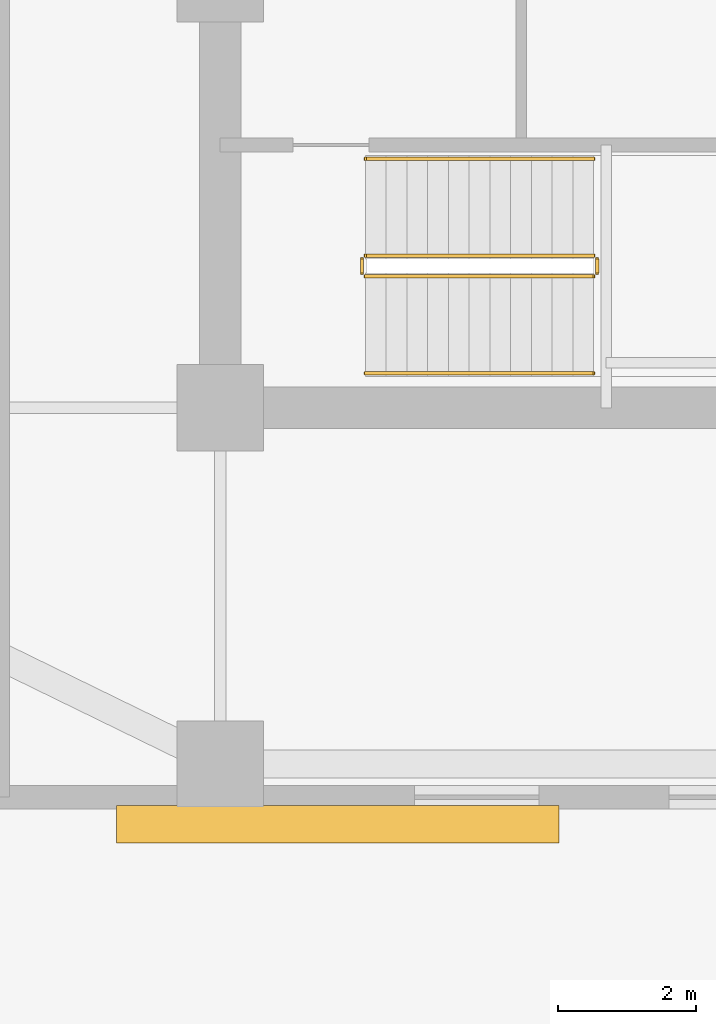
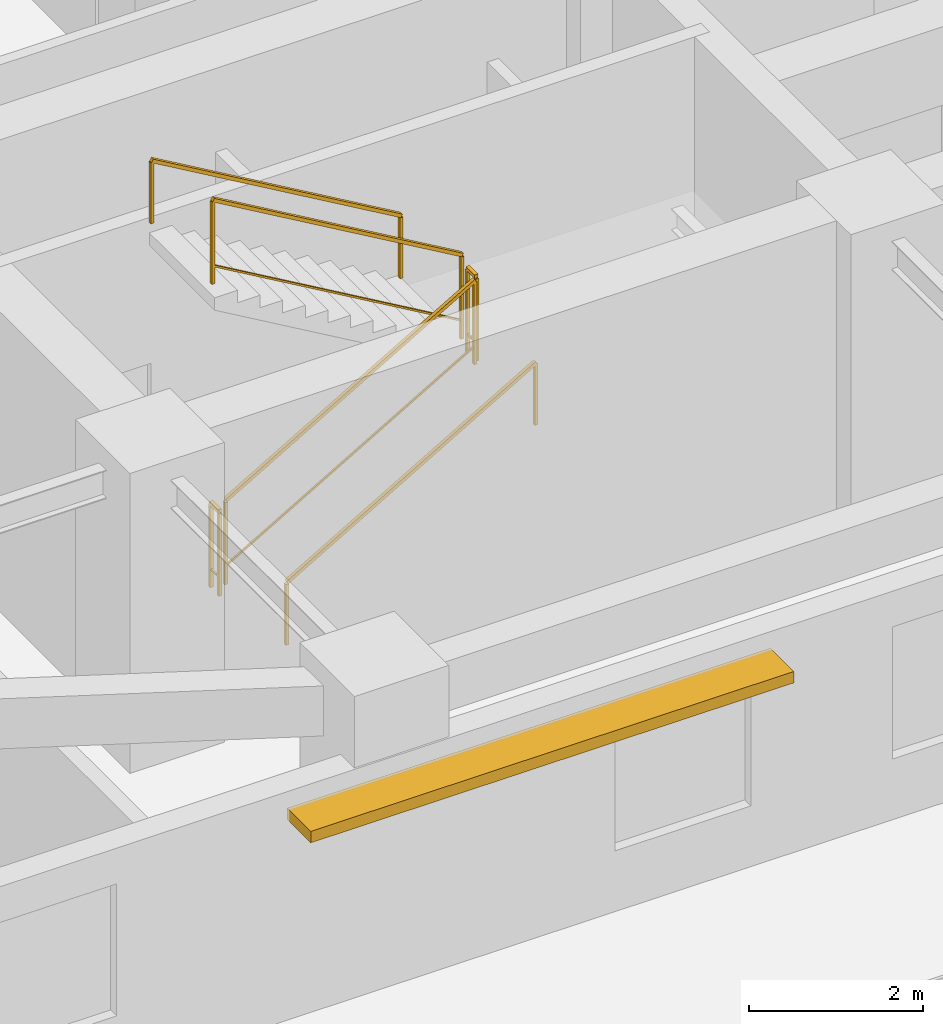
# One storey, part 8 of 11: 6 railings, 1 shading device.
"""IFC4 building model written with IfcOpenShell, lengths in metres."""

from ifc_helpers import new_model, si_unit, direction, frame, origin, origin_2d, place, context, subcontext, project, spatial, rectangle, extrude, material, layer, layer_set, type_object, element, save


model = new_model("IFC4")

# Units and contexts
model_context = context("Model", 3, precision=1e-05, world=origin(), true_north=direction((0.0, 1.0)))
body_context = subcontext(model_context, "Body", "Model", "MODEL_VIEW")
ifc_project = project(units=[si_unit("LENGTHUNIT", "METRE"), si_unit("AREAUNIT", "SQUARE_METRE"), si_unit("VOLUMEUNIT", "CUBIC_METRE"), si_unit("PLANEANGLEUNIT", "RADIAN"), si_unit("MASSUNIT", "GRAM", prefix="KILO")], contexts=[model_context])

# Site, building, storey
site_placement = place(None, origin())
site = spatial("IfcSite", under=ifc_project, at=site_placement, CompositionType="ELEMENT")
building_placement = place(site_placement, origin())
building = spatial("IfcBuilding", under=site, at=building_placement, Name="Svetorya Sky Lyceum", CompositionType="ELEMENT")
storey_placement = place(building_placement, frame((0.0, 0.0, 24.60009765625)))
storey = spatial("IfcBuildingStorey", under=building, at=storey_placement, Name="L05", CompositionType="ELEMENT", Elevation=24.60009765625)

# Railings
ifc_material_1 = material(Name="Painted galvanized stair well guard")
railing_type_1 = type_object("IfcRailingType", Name="RL-STR-GUARD-1200", PredefinedType="GUARDRAIL", material=ifc_material_1)
railing_1_placement = place(storey_placement, frame((27.699951171875, 12.5, 0.1748046875)))
element("IfcRailing", 1, at=railing_1_placement, inside=storey, type_object=railing_type_1, Name="L05 ST-S stair guard 1", PredefinedType="GUARDRAIL", context=body_context, shape_type="SweptSolid", body=[
    extrude(rectangle(XDim=0.048095703125, YDim=0.048095703125, at=origin_2d()), frame((0.0, 0.0, 1.17578125), z_axis=(0.863776583165, 0.0, 0.503874998761), x_axis=(0.0, 1.0, 0.0)), (0.0, 0.0, 1.0), 3.820556640625),
    extrude(rectangle(XDim=0.02392578125, YDim=0.02392578125, at=origin_2d()), frame((0.0, 0.0, 0.25), z_axis=(0.863776583165, 0.0, 0.503874998761), x_axis=(0.0, 1.0, 0.0)), (0.0, 0.0, 1.0), 3.820556640625),
    extrude(rectangle(XDim=0.0419921875, YDim=0.0419921875, at=origin_2d()), origin(), (0.0, 0.0, 1.0), 1.15185546875),
    extrude(rectangle(XDim=0.0419921875, YDim=0.0419921875, at=origin_2d()), frame((3.300048828125, 0.0, 1.925048828125)), (0.0, 0.0, 1.0), 1.15185546875),
])
railing_2_placement = place(storey_placement, frame((31.050048828125, 12.550048828125, 2.099853515625)))
element("IfcRailing", 2, at=railing_2_placement, inside=storey, type_object=railing_type_1, Name="L05 ST-S stair guard 2", PredefinedType="GUARDRAIL", context=body_context, shape_type="SweptSolid", body=[
    extrude(rectangle(XDim=0.048095703125, YDim=0.048095703125, at=origin_2d()), frame((0.0, 0.0, 1.17578125), z_axis=(0.0, 1.0, 0.0), x_axis=(-1.0, 0.0, 0.0)), (0.0, 0.0, 1.0), 0.199951171875),
    extrude(rectangle(XDim=0.02392578125, YDim=0.02392578125, at=origin_2d()), frame((0.0, 0.0, 0.25), z_axis=(0.0, 1.0, 0.0), x_axis=(-1.0, 0.0, 0.0)), (0.0, 0.0, 1.0), 0.199951171875),
    extrude(rectangle(XDim=0.0419921875, YDim=0.0419921875, at=origin_2d()), origin(), (0.0, 0.0, 1.0), 1.15185546875),
    extrude(rectangle(XDim=0.0419921875, YDim=0.0419921875, at=origin_2d()), frame((0.0, 0.199951171875, 0.0)), (0.0, 0.0, 1.0), 1.15185546875),
])
railing_3_placement = place(storey_placement, frame((31.0, 12.800048828125, 2.27490234375)))
element("IfcRailing", 3, at=railing_3_placement, inside=storey, type_object=railing_type_1, Name="L05 ST-S stair guard 3", PredefinedType="GUARDRAIL", context=body_context, shape_type="SweptSolid", body=[
    extrude(rectangle(XDim=0.048095703125, YDim=0.048095703125, at=origin_2d()), frame((0.0, 0.0, 1.17578125), z_axis=(-0.863776583165, 0.0, 0.503874998761), x_axis=(0.0, -1.0, 0.0)), (0.0, 0.0, 1.0), 3.820556640625),
    extrude(rectangle(XDim=0.02392578125, YDim=0.02392578125, at=origin_2d()), frame((0.0, 0.0, 0.25), z_axis=(-0.863776583165, 0.0, 0.503874998761), x_axis=(0.0, -1.0, 0.0)), (0.0, 0.0, 1.0), 3.820556640625),
    extrude(rectangle(XDim=0.0419921875, YDim=0.0419921875, at=origin_2d()), origin(), (0.0, 0.0, 1.0), 1.15185546875),
    extrude(rectangle(XDim=0.0419921875, YDim=0.0419921875, at=origin_2d()), frame((-3.300048828125, 0.0, 1.925048828125)), (0.0, 0.0, 1.0), 1.15185546875),
])
railing_4_placement = place(storey_placement, frame((27.64990234375, 12.550048828125, 0.0)))
element("IfcRailing", 4, at=railing_4_placement, inside=storey, type_object=railing_type_1, Name="L05 ST-S stair guard 4", PredefinedType="GUARDRAIL", context=body_context, shape_type="SweptSolid", body=[
    extrude(rectangle(XDim=0.048095703125, YDim=0.048095703125, at=origin_2d()), frame((0.0, 0.0, 1.17578125), z_axis=(0.0, 1.0, 0.0), x_axis=(-1.0, 0.0, 0.0)), (0.0, 0.0, 1.0), 0.199951171875),
    extrude(rectangle(XDim=0.02392578125, YDim=0.02392578125, at=origin_2d()), frame((0.0, 0.0, 0.25), z_axis=(0.0, 1.0, 0.0), x_axis=(-1.0, 0.0, 0.0)), (0.0, 0.0, 1.0), 0.199951171875),
    extrude(rectangle(XDim=0.0419921875, YDim=0.0419921875, at=origin_2d()), origin(), (0.0, 0.0, 1.0), 1.15185546875),
    extrude(rectangle(XDim=0.0419921875, YDim=0.0419921875, at=origin_2d()), frame((0.0, 0.199951171875, 0.0)), (0.0, 0.0, 1.0), 1.15185546875),
])
ifc_material_2 = material(Name="Brushed stainless AISI 304 stair handrail")
railing_type_2 = type_object("IfcRailingType", Name="RL-STR-HAND-920", PredefinedType="HANDRAIL", material=ifc_material_2)
railing_5_placement = place(storey_placement, frame((27.699951171875, 11.10009765625, 0.1748046875)))
element("IfcRailing", 5, at=railing_5_placement, inside=storey, type_object=railing_type_2, Name="L05 ST-S stair handrail 1", PredefinedType="HANDRAIL", context=body_context, shape_type="SweptSolid", body=[
    extrude(rectangle(XDim=0.048095703125, YDim=0.048095703125, at=origin_2d()), frame((0.0, 0.0, 0.8759765625), z_axis=(0.863776583165, 0.0, 0.503874998761), x_axis=(0.0, 1.0, 0.0)), (0.0, 0.0, 1.0), 3.820556640625),
    extrude(rectangle(XDim=0.0419921875, YDim=0.0419921875, at=origin_2d()), origin(), (0.0, 0.0, 1.0), 0.851806640625),
    extrude(rectangle(XDim=0.0419921875, YDim=0.0419921875, at=origin_2d()), frame((3.300048828125, 0.0, 1.925048828125)), (0.0, 0.0, 1.0), 0.851806640625),
])
railing_6_placement = place(storey_placement, frame((31.0, 14.199951171875, 2.27490234375)))
element("IfcRailing", 6, at=railing_6_placement, inside=storey, type_object=railing_type_2, Name="L05 ST-S stair handrail 2", PredefinedType="HANDRAIL", context=body_context, shape_type="SweptSolid", body=[
    extrude(rectangle(XDim=0.048095703125, YDim=0.048095703125, at=origin_2d()), frame((0.0, 0.0, 0.8759765625), z_axis=(-0.863776583165, 0.0, 0.503874998761), x_axis=(0.0, -1.0, 0.0)), (0.0, 0.0, 1.0), 3.820556640625),
    extrude(rectangle(XDim=0.0419921875, YDim=0.0419921875, at=origin_2d()), origin(), (0.0, 0.0, 1.0), 0.851806640625),
    extrude(rectangle(XDim=0.0419921875, YDim=0.0419921875, at=origin_2d()), frame((-3.300048828125, 0.0, 1.925048828125)), (0.0, 0.0, 1.0), 0.851806640625),
])

# Shading device
ifc_material_3 = material(Name="Champagne-anodized extruded aluminium sunshade", Category="aluminium")
ifc_layer = layer(ifc_material_3, 0.159912109375)
ifc_layer_set = layer_set([ifc_layer], Name="Champagne-anodized extruded aluminium sunshade")
shading_device_type = type_object("IfcShadingDeviceType", Name="SHD-LVR-540", PredefinedType="AWNING", material=ifc_layer_set)
shading_device_placement = place(storey_placement, frame((27.300048828125, 4.580078125, 2.77001953125), z_axis=(0.0, 0.0, 1.0), x_axis=(1.0, 0.0, 0.0)))
element("IfcShadingDevice", 7, at=shading_device_placement, inside=storey, type_object=shading_device_type, Name="L05 Solar Brise-Soleil SHD-1.6M", PredefinedType="AWNING", context=body_context, shape_type="SweptSolid", body=[
    extrude(rectangle(XDim=6.39990234375, YDim=0.5400390625, at=origin_2d()), origin(), (0.0, 0.0, 1.0), 0.159912109375),
])

save(model, "model.ifc")
